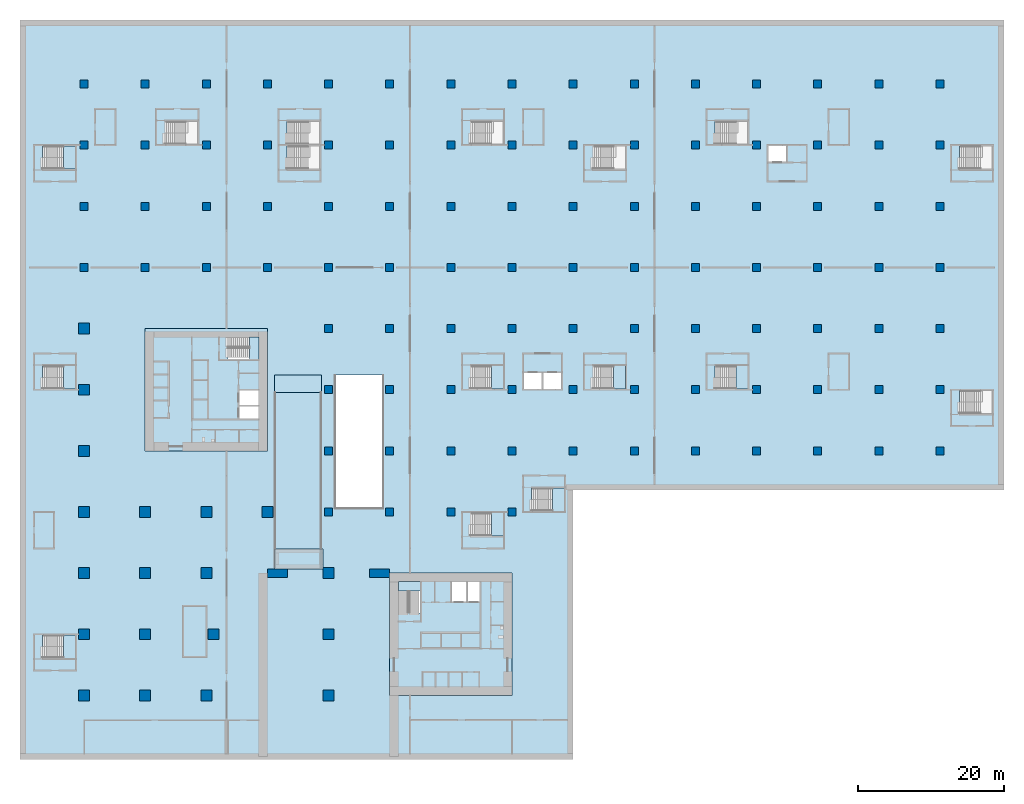
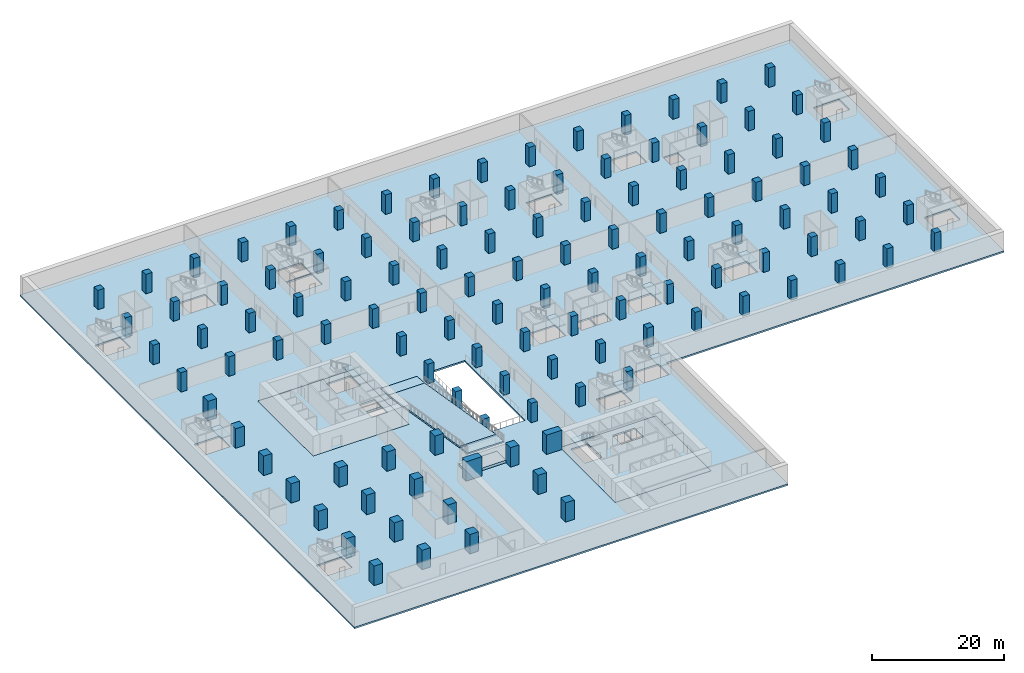
# One storey, part 1 of 18: 118 columns, 17 slabs, 10 elements without a shape of their own.
"""IFC4 building model written with IfcOpenShell, lengths in metres."""

from ifc_helpers import new_model, si_unit, direction, frame, origin, origin_2d, place, context, subcontext, project, spatial, polyline, rectangle, outline, extrude, material, layer, layer_set, material_profile, profile_set, type_object, element, aggregate, save


model = new_model("IFC4")

# Units and contexts
model_context = context("Model", 3, precision=1e-05, world=origin(), true_north=direction((0.0, 1.0)))
body_context = subcontext(model_context, "Body", "Model", "MODEL_VIEW")
ifc_project = project(units=[si_unit("LENGTHUNIT", "METRE"), si_unit("AREAUNIT", "SQUARE_METRE"), si_unit("VOLUMEUNIT", "CUBIC_METRE"), si_unit("PLANEANGLEUNIT", "RADIAN"), si_unit("MASSUNIT", "GRAM", prefix="KILO")], contexts=[model_context])

# Site, building, storey
site_placement = place(None, origin())
site = spatial("IfcSite", under=ifc_project, at=site_placement, CompositionType="ELEMENT")
building_placement = place(site_placement, origin())
building = spatial("IfcBuilding", under=site, at=building_placement, Name="Vermilion Gate Residences", CompositionType="ELEMENT")
storey_placement = place(building_placement, frame((0.0, 0.0, -4.0)))
storey = spatial("IfcBuildingStorey", under=building, at=storey_placement, Name="B1", CompositionType="ELEMENT", Elevation=-4.0)

# Columns
ifc_material_1 = material(Name="Concrete C60", Category="concrete")
ifc_material_profile_1 = material_profile(ifc_material_1, rectangle(XDim=1.10009765625, YDim=1.10009765625, at=origin_2d()), Name="RC-1100x1100")
ifc_profile_set_1 = profile_set([ifc_material_profile_1], Name="Concrete C60")
column_type_1 = type_object("IfcColumnType", Name="RC COLUMN 1100 X 1100 C60", PredefinedType="COLUMN", material=ifc_profile_set_1)
for number, where, z_axis, x_axis, name in (
    (1, (33.60009765625, 33.60009765625, 0.0), (0.0, 0.0, 1.0), (1.0, 0.0, 0.0), "Column 5-E B1"),
    (2, (33.60009765625, 42.0, 0.0), (0.0, 0.0, 1.0), (1.0, 0.0, 0.0), "Column 5-F B1"),
    (3, (33.60009765625, 50.39990234375, 0.0), (0.0, 0.0, 1.0), (1.0, 0.0, 0.0), "Column 5-G B1"),
    (4, (33.60009765625, 58.800048828125, 0.0), (0.0, 0.0, 1.0), (1.0, 0.0, 0.0), "Column 5-H B1"),
    (5, (42.0, 33.60009765625, 0.0), (0.0, 0.0, 1.0), (1.0, 0.0, 0.0), "Column 6-E B1"),
    (6, (42.0, 42.0, 0.0), (0.0, 0.0, 1.0), (1.0, 0.0, 0.0), "Column 6-F B1"),
    (7, (42.0, 50.39990234375, 0.0), (0.0, 0.0, 1.0), (1.0, 0.0, 0.0), "Column 6-G B1"),
    (8, (42.0, 58.800048828125, 0.0), (0.0, 0.0, 1.0), (1.0, 0.0, 0.0), "Column 6-H B1"),
    (9, (50.39990234375, 33.60009765625, 0.0), (0.0, 0.0, 1.0), (1.0, 0.0, 0.0), "Column 7-E B1"),
    (10, (50.39990234375, 42.0, 0.0), (0.0, 0.0, 1.0), (1.0, 0.0, 0.0), "Column 7-F B1"),
    (11, (50.39990234375, 50.39990234375, 0.0), (0.0, 0.0, 1.0), (1.0, 0.0, 0.0), "Column 7-G B1"),
    (12, (50.39990234375, 58.800048828125, 0.0), (0.0, 0.0, 1.0), (1.0, 0.0, 0.0), "Column 7-H B1"),
    (13, (58.800048828125, 33.60009765625, 0.0), (0.0, 0.0, 1.0), (1.0, 0.0, 0.0), "Column 8-E B1"),
    (14, (58.800048828125, 42.0, 0.0), (0.0, 0.0, 1.0), (1.0, 0.0, 0.0), "Column 8-F B1"),
    (15, (58.800048828125, 50.39990234375, 0.0), (0.0, 0.0, 1.0), (1.0, 0.0, 0.0), "Column 8-G B1"),
    (16, (58.800048828125, 58.800048828125, 0.0), (0.0, 0.0, 1.0), (1.0, 0.0, 0.0), "Column 8-H B1"),
    (17, (67.199951171875, 42.0, 0.0), (0.0, 0.0, 1.0), (1.0, 0.0, 0.0), "Column 9-F B1"),
    (18, (67.199951171875, 50.39990234375, 0.0), (0.0, 0.0, 1.0), (1.0, 0.0, 0.0), "Column 9-G B1"),
    (19, (67.199951171875, 58.800048828125, 0.0), (0.0, 0.0, 1.0), (1.0, 0.0, 0.0), "Column 9-H B1"),
    (20, (0.0, 67.199951171875, 0.0), (0.0, 0.0, 1.0), (1.0, 0.0, 0.0), "Column 1-J B1"),
    (21, (0.0, 75.60009765625, 0.0), (0.0, 0.0, 1.0), (1.0, 0.0, 0.0), "Column 1-K B1"),
    (22, (0.0, 84.0, 0.0), (0.0, 0.0, 1.0), (1.0, 0.0, 0.0), "Column 1-L B1"),
    (23, (0.0, 92.39990234375, 0.0), (0.0, 0.0, 1.0), (1.0, 0.0, 0.0), "Column 1-M B1"),
    (24, (8.39990234375, 67.199951171875, 0.0), (0.0, 0.0, 1.0), (1.0, 0.0, 0.0), "Column 2-J B1"),
    (25, (8.39990234375, 75.60009765625, 0.0), (0.0, 0.0, 1.0), (1.0, 0.0, 0.0), "Column 2-K B1"),
    (26, (8.39990234375, 84.0, 0.0), (0.0, 0.0, 1.0), (1.0, 0.0, 0.0), "Column 2-L B1"),
    (27, (8.39990234375, 92.39990234375, 0.0), (0.0, 0.0, 1.0), (1.0, 0.0, 0.0), "Column 2-M B1"),
    (28, (16.800048828125, 67.199951171875, 0.0), (0.0, 0.0, 1.0), (1.0, 0.0, 0.0), "Column 3-J B1"),
    (29, (16.800048828125, 75.60009765625, 0.0), (0.0, 0.0, 1.0), (1.0, 0.0, 0.0), "Column 3-K B1"),
    (30, (16.800048828125, 84.0, 0.0), (0.0, 0.0, 1.0), (1.0, 0.0, 0.0), "Column 3-L B1"),
    (31, (16.800048828125, 92.39990234375, 0.0), (0.0, 0.0, 1.0), (1.0, 0.0, 0.0), "Column 3-M B1"),
    (32, (25.199951171875, 67.199951171875, 0.0), (0.0, 0.0, 1.0), (1.0, 0.0, 0.0), "Column 4-J B1"),
    (33, (25.199951171875, 75.60009765625, 0.0), (0.0, 0.0, 1.0), (1.0, 0.0, 0.0), "Column 4-K B1"),
    (34, (25.199951171875, 84.0, 0.0), (0.0, 0.0, 1.0), (1.0, 0.0, 0.0), "Column 4-L B1"),
    (35, (25.199951171875, 92.39990234375, 0.0), (0.0, 0.0, 1.0), (1.0, 0.0, 0.0), "Column 4-M B1"),
    (36, (33.60009765625, 67.199951171875, 0.0), (0.0, 0.0, 1.0), (1.0, 0.0, 0.0), "Column 5-J B1"),
    (37, (33.60009765625, 75.60009765625, 0.0), (0.0, 0.0, 1.0), (1.0, 0.0, 0.0), "Column 5-K B1"),
    (38, (33.60009765625, 84.0, 0.0), (0.0, 0.0, 1.0), (1.0, 0.0, 0.0), "Column 5-L B1"),
    (39, (33.60009765625, 92.39990234375, 0.0), (0.0, 0.0, 1.0), (1.0, 0.0, 0.0), "Column 5-M B1"),
    (40, (42.0, 67.199951171875, 0.0), (0.0, 0.0, 1.0), (1.0, 0.0, 0.0), "Column 6-J B1"),
    (41, (42.0, 75.60009765625, 0.0), (0.0, 0.0, 1.0), (1.0, 0.0, 0.0), "Column 6-K B1"),
    (42, (42.0, 84.0, 0.0), (0.0, 0.0, 1.0), (1.0, 0.0, 0.0), "Column 6-L B1"),
    (43, (42.0, 92.39990234375, 0.0), (0.0, 0.0, 1.0), (1.0, 0.0, 0.0), "Column 6-M B1"),
    (44, (50.39990234375, 67.199951171875, 0.0), (0.0, 0.0, 1.0), (1.0, 0.0, 0.0), "Column 7-J B1"),
    (45, (50.39990234375, 75.60009765625, 0.0), (0.0, 0.0, 1.0), (1.0, 0.0, 0.0), "Column 7-K B1"),
    (46, (50.39990234375, 84.0, 0.0), (0.0, 0.0, 1.0), (1.0, 0.0, 0.0), "Column 7-L B1"),
    (47, (50.39990234375, 92.39990234375, 0.0), (0.0, 0.0, 1.0), (1.0, 0.0, 0.0), "Column 7-M B1"),
    (48, (58.800048828125, 67.199951171875, 0.0), (0.0, 0.0, 1.0), (1.0, 0.0, 0.0), "Column 8-J B1"),
    (49, (58.800048828125, 75.60009765625, 0.0), (0.0, 0.0, 1.0), (1.0, 0.0, 0.0), "Column 8-K B1"),
    (50, (58.800048828125, 84.0, 0.0), (0.0, 0.0, 1.0), (1.0, 0.0, 0.0), "Column 8-L B1"),
    (51, (58.800048828125, 92.39990234375, 0.0), (0.0, 0.0, 1.0), (1.0, 0.0, 0.0), "Column 8-M B1"),
    (52, (67.199951171875, 67.199951171875, 0.0), (0.0, 0.0, 1.0), (1.0, 0.0, 0.0), "Column 9-J B1"),
    (53, (67.199951171875, 75.60009765625, 0.0), (0.0, 0.0, 1.0), (1.0, 0.0, 0.0), "Column 9-K B1"),
    (54, (67.199951171875, 84.0, 0.0), (0.0, 0.0, 1.0), (1.0, 0.0, 0.0), "Column 9-L B1"),
    (55, (67.199951171875, 92.39990234375, 0.0), (0.0, 0.0, 1.0), (1.0, 0.0, 0.0), "Column 9-M B1"),
    (56, (75.60009765625, 42.0, 0.0), (0.0, 0.0, 1.0), (1.0, 0.0, 0.0), "Column 10-F B1"),
    (57, (75.60009765625, 50.39990234375, 0.0), (0.0, 0.0, 1.0), (1.0, 0.0, 0.0), "Column 10-G B1"),
    (58, (75.60009765625, 58.800048828125, 0.0), (0.0, 0.0, 1.0), (1.0, 0.0, 0.0), "Column 10-H B1"),
    (59, (75.60009765625, 67.199951171875, 0.0), (0.0, 0.0, 1.0), (1.0, 0.0, 0.0), "Column 10-J B1"),
    (60, (75.60009765625, 75.60009765625, 0.0), (0.0, 0.0, 1.0), (1.0, 0.0, 0.0), "Column 10-K B1"),
    (61, (75.60009765625, 84.0, 0.0), (0.0, 0.0, 1.0), (1.0, 0.0, 0.0), "Column 10-L B1"),
    (62, (75.60009765625, 92.39990234375, 0.0), (0.0, 0.0, 1.0), (1.0, 0.0, 0.0), "Column 10-M B1"),
    (63, (84.0, 42.0, 0.0), (0.0, 0.0, 1.0), (1.0, 0.0, 0.0), "Column 11-F B1"),
    (64, (84.0, 50.39990234375, 0.0), (0.0, 0.0, 1.0), (1.0, 0.0, 0.0), "Column 11-G B1"),
    (65, (84.0, 58.800048828125, 0.0), (0.0, 0.0, 1.0), (1.0, 0.0, 0.0), "Column 11-H B1"),
    (66, (84.0, 67.199951171875, 0.0), (0.0, 0.0, 1.0), (1.0, 0.0, 0.0), "Column 11-J B1"),
    (67, (84.0, 75.60009765625, 0.0), (0.0, 0.0, 1.0), (1.0, 0.0, 0.0), "Column 11-K B1"),
    (68, (84.0, 84.0, 0.0), (0.0, 0.0, 1.0), (1.0, 0.0, 0.0), "Column 11-L B1"),
    (69, (84.0, 92.39990234375, 0.0), (0.0, 0.0, 1.0), (1.0, 0.0, 0.0), "Column 11-M B1"),
    (70, (92.39990234375, 42.0, 0.0), (0.0, 0.0, 1.0), (1.0, 0.0, 0.0), "Column 12-F B1"),
    (71, (92.39990234375, 50.39990234375, 0.0), (0.0, 0.0, 1.0), (1.0, 0.0, 0.0), "Column 12-G B1"),
    (72, (92.39990234375, 58.800048828125, 0.0), (0.0, 0.0, 1.0), (1.0, 0.0, 0.0), "Column 12-H B1"),
    (73, (92.39990234375, 67.199951171875, 0.0), (0.0, 0.0, 1.0), (1.0, 0.0, 0.0), "Column 12-J B1"),
    (74, (92.39990234375, 75.60009765625, 0.0), (0.0, 0.0, 1.0), (1.0, 0.0, 0.0), "Column 12-K B1"),
    (75, (92.39990234375, 84.0, 0.0), (0.0, 0.0, 1.0), (1.0, 0.0, 0.0), "Column 12-L B1"),
    (76, (92.39990234375, 92.39990234375, 0.0), (0.0, 0.0, 1.0), (1.0, 0.0, 0.0), "Column 12-M B1"),
    (77, (100.800048828125, 42.0, 0.0), (0.0, 0.0, 1.0), (1.0, 0.0, 0.0), "Column 13-F B1"),
    (78, (100.800048828125, 50.39990234375, 0.0), (0.0, 0.0, 1.0), (1.0, 0.0, 0.0), "Column 13-G B1"),
    (79, (100.800048828125, 58.800048828125, 0.0), (0.0, 0.0, 1.0), (1.0, 0.0, 0.0), "Column 13-H B1"),
    (80, (100.800048828125, 67.199951171875, 0.0), (0.0, 0.0, 1.0), (1.0, 0.0, 0.0), "Column 13-J B1"),
    (81, (100.800048828125, 75.60009765625, 0.0), (0.0, 0.0, 1.0), (1.0, 0.0, 0.0), "Column 13-K B1"),
    (82, (100.800048828125, 84.0, 0.0), (0.0, 0.0, 1.0), (1.0, 0.0, 0.0), "Column 13-L B1"),
    (83, (100.800048828125, 92.39990234375, 0.0), (0.0, 0.0, 1.0), (1.0, 0.0, 0.0), "Column 13-M B1"),
    (84, (109.199951171875, 42.0, 0.0), (0.0, 0.0, 1.0), (1.0, 0.0, 0.0), "Column 14-F B1"),
    (85, (109.199951171875, 50.39990234375, 0.0), (0.0, 0.0, 1.0), (1.0, 0.0, 0.0), "Column 14-G B1"),
    (86, (109.199951171875, 58.800048828125, 0.0), (0.0, 0.0, 1.0), (1.0, 0.0, 0.0), "Column 14-H B1"),
    (87, (109.199951171875, 67.199951171875, 0.0), (0.0, 0.0, 1.0), (1.0, 0.0, 0.0), "Column 14-J B1"),
    (88, (109.199951171875, 75.60009765625, 0.0), (0.0, 0.0, 1.0), (1.0, 0.0, 0.0), "Column 14-K B1"),
    (89, (109.199951171875, 84.0, 0.0), (0.0, 0.0, 1.0), (1.0, 0.0, 0.0), "Column 14-L B1"),
    (90, (109.199951171875, 92.39990234375, 0.0), (0.0, 0.0, 1.0), (1.0, 0.0, 0.0), "Column 14-M B1"),
    (91, (117.60009765625, 42.0, 0.0), (0.0, 0.0, 1.0), (1.0, 0.0, 0.0), "Column 15-F B1"),
    (92, (117.60009765625, 50.39990234375, 0.0), (0.0, 0.0, 1.0), (1.0, 0.0, 0.0), "Column 15-G B1"),
    (93, (117.60009765625, 58.800048828125, 0.0), (0.0, 0.0, 1.0), (1.0, 0.0, 0.0), "Column 15-H B1"),
    (94, (117.60009765625, 67.199951171875, 0.0), (0.0, 0.0, 1.0), (1.0, 0.0, 0.0), "Column 15-J B1"),
    (95, (117.60009765625, 75.60009765625, 0.0), (0.0, 0.0, 1.0), (1.0, 0.0, 0.0), "Column 15-K B1"),
    (96, (117.60009765625, 84.0, 0.0), (0.0, 0.0, 1.0), (1.0, 0.0, 0.0), "Column 15-L B1"),
    (97, (117.60009765625, 92.39990234375, 0.0), (0.0, 0.0, 1.0), (1.0, 0.0, 0.0), "Column 15-M B1"),
):
    element("IfcColumn", number, at=place(storey_placement, frame(where, z_axis=z_axis, x_axis=x_axis)), inside=storey, type_object=column_type_1, Name=name, PredefinedType="COLUMN", context=body_context, shape_type="SweptSolid", body=[
        extrude(rectangle(XDim=1.10009765625, YDim=1.10009765625, at=origin_2d()), origin(), (0.0, 0.0, 1.0), 3.60009765625),
    ])
ifc_material_2 = material(Name="Concrete C80", Category="concrete")
ifc_material_profile_2 = material_profile(ifc_material_2, rectangle(XDim=1.5, YDim=1.5, at=origin_2d()), Name="RC-1500x1500")
ifc_profile_set_2 = profile_set([ifc_material_profile_2], Name="Concrete C80")
column_type_2 = type_object("IfcColumnType", Name="RC COLUMN 1500 X 1500 C80", PredefinedType="COLUMN", material=ifc_profile_set_2)
for number, where, z_axis, x_axis, name in (
    (98, (0.0, 8.39990234375, 0.0), (0.0, 0.0, 1.0), (1.0, 0.0, 0.0), "Column 1-B B1"),
    (99, (0.0, 16.800048828125, 0.0), (0.0, 0.0, 1.0), (1.0, 0.0, 0.0), "Column 1-C B1"),
    (100, (0.0, 25.199951171875, 0.0), (0.0, 0.0, 1.0), (1.0, 0.0, 0.0), "Column 1-D B1"),
    (101, (0.0, 33.60009765625, 0.0), (0.0, 0.0, 1.0), (1.0, 0.0, 0.0), "Column 1-E B1"),
    (102, (0.0, 42.0, 0.0), (0.0, 0.0, 1.0), (1.0, 0.0, 0.0), "Column 1-F B1"),
    (103, (0.0, 50.39990234375, 0.0), (0.0, 0.0, 1.0), (1.0, 0.0, 0.0), "Column 1-G B1"),
    (104, (0.0, 58.800048828125, 0.0), (0.0, 0.0, 1.0), (1.0, 0.0, 0.0), "Column 1-H B1"),
    (105, (8.39990234375, 8.39990234375, 0.0), (0.0, 0.0, 1.0), (1.0, 0.0, 0.0), "Column 2-B B1"),
    (106, (8.39990234375, 16.800048828125, 0.0), (0.0, 0.0, 1.0), (1.0, 0.0, 0.0), "Column 2-C B1"),
    (107, (8.39990234375, 25.199951171875, 0.0), (0.0, 0.0, 1.0), (1.0, 0.0, 0.0), "Column 2-D B1"),
    (108, (8.39990234375, 33.60009765625, 0.0), (0.0, 0.0, 1.0), (1.0, 0.0, 0.0), "Column 2-E B1"),
    (109, (16.800048828125, 8.39990234375, 0.0), (0.0, 0.0, 1.0), (1.0, 0.0, 0.0), "Column 3-B B1"),
    (110, (17.800048828125, 16.800048828125, 0.0), (0.0, 0.0, 1.0), (1.0, 0.0, 0.0), "Column 3-C B1"),
    (111, (16.800048828125, 25.199951171875, 0.0), (0.0, 0.0, 1.0), (1.0, 0.0, 0.0), "Column 3-D B1"),
    (112, (16.800048828125, 33.60009765625, 0.0), (0.0, 0.0, 1.0), (1.0, 0.0, 0.0), "Column 3-E B1"),
    (113, (25.199951171875, 33.60009765625, 0.0), (0.0, 0.0, 1.0), (1.0, 0.0, 0.0), "Column 4-E B1"),
    (114, (33.60009765625, 8.39990234375, 0.0), (0.0, 0.0, 1.0), (1.0, 0.0, 0.0), "Column 5-B B1"),
    (115, (33.60009765625, 16.800048828125, 0.0), (0.0, 0.0, 1.0), (1.0, 0.0, 0.0), "Column 5-C B1"),
    (116, (33.60009765625, 25.199951171875, 0.0), (0.0, 0.0, 1.0), (1.0, 0.0, 0.0), "Column 5-D B1"),
):
    element("IfcColumn", number, at=place(storey_placement, frame(where, z_axis=z_axis, x_axis=x_axis)), inside=storey, type_object=column_type_2, Name=name, PredefinedType="COLUMN", context=body_context, shape_type="SweptSolid", body=[
        extrude(rectangle(XDim=1.5, YDim=1.5, at=origin_2d()), origin(), (0.0, 0.0, 1.0), 3.60009765625),
    ])
ifc_material_3 = material(Name="Concrete C80", Category="concrete")
ifc_material_profile_3 = material_profile(ifc_material_3, rectangle(XDim=2.75, YDim=1.199951171875, at=origin_2d()), Name="RC-2750x1200")
ifc_profile_set_3 = profile_set([ifc_material_profile_3], Name="Concrete C80")
column_type_3 = type_object("IfcColumnType", Name="RC COLUMN 2750 X 1200 C80", PredefinedType="COLUMN", material=ifc_profile_set_3)
for number, where, z_axis, x_axis, name in (
    (117, (26.574951171875, 25.199951171875, 0.0), (0.0, 0.0, 1.0), (1.0, 0.0, 0.0), "Portal leg column W B1"),
    (118, (40.625, 25.199951171875, 0.0), (0.0, 0.0, 1.0), (1.0, 0.0, 0.0), "Portal leg column E B1"),
):
    element("IfcColumn", number, at=place(storey_placement, frame(where, z_axis=z_axis, x_axis=x_axis)), inside=storey, type_object=column_type_3, Name=name, PredefinedType="COLUMN", context=body_context, shape_type="SweptSolid", body=[
        extrude(rectangle(XDim=2.75, YDim=1.199951171875, at=origin_2d()), origin(), (0.0, 0.0, 1.0), 3.60009765625),
    ])

# Slabs
ifc_material_4 = material(Name="Concrete C40", Category="concrete")
ifc_layer_1 = layer(ifc_material_4, 0.5)
ifc_layer_set_1 = layer_set([ifc_layer_1], Name="RAMP ABUTMENT PAD 500 (AMENITY)")
slab_type_1 = type_object("IfcSlabType", Name="RAMP ABUTMENT PAD 500 (AMENITY)", PredefinedType="FLOOR", material=ifc_layer_set_1)
slab_1_placement = place(storey_placement, origin())
element("IfcSlab", 119, at=slab_1_placement, inside=storey, type_object=slab_type_1, Name="Ramp 1 abutment pad", PredefinedType="FLOOR", context=body_context, shape_type="SweptSolid", body=[
    extrude(outline(polyline([(26.199951171875, 25.800048828125), (32.85009765625, 25.800048828125), (32.85009765625, 28.550048828125), (26.199951171875, 28.550048828125), (26.199951171875, 25.800048828125)])), origin(), (0.0, 0.0, 1.0), 0.5),
])
ifc_material_5 = material(Name="Concrete C50", Category="concrete")
ifc_layer_2 = layer(ifc_material_5, 0.300048828125)
ifc_layer_set_2 = layer_set([ifc_layer_2], Name="RC CORE FLOOR SLAB 300 C50")
slab_type_2 = type_object("IfcSlabType", Name="RC CORE FLOOR SLAB 300 C50", PredefinedType="FLOOR", material=ifc_layer_set_2)
slab_2_placement = place(storey_placement, frame((0.0, 0.0, -0.300048828125)))
element("IfcSlab", 120, at=slab_2_placement, inside=storey, type_object=slab_type_2, Name="Core floor slab AB1", PredefinedType="FLOOR", context=body_context, shape_type="SweptSolid", body=[
    extrude(outline(polyline([(42.0, 8.39990234375), (58.800048828125, 8.39990234375), (58.800048828125, 25.199951171875), (42.0, 25.199951171875), (42.0, 8.39990234375)]), holes=[polyline([(46.199951171875, 19.75), (43.199951171875, 19.75), (43.199951171875, 24.0), (46.199951171875, 24.0), (46.199951171875, 19.75)]), polyline([(50.5, 21.300048828125), (50.5, 24.0), (52.5, 24.0), (52.5, 21.300048828125), (50.5, 21.300048828125)]), polyline([(52.699951171875, 21.300048828125), (52.699951171875, 24.0), (54.39990234375, 24.0), (54.39990234375, 21.300048828125), (52.699951171875, 21.300048828125)])]), origin(), (0.0, 0.0, 1.0), 0.300048828125),
])
slab_3_placement = place(storey_placement, frame((0.0, 0.0, -0.300048828125)))
element("IfcSlab", 121, at=slab_3_placement, inside=storey, type_object=slab_type_2, Name="Core floor slab BB1", PredefinedType="FLOOR", context=body_context, shape_type="SweptSolid", body=[
    extrude(outline(polyline([(8.39990234375, 42.0), (25.199951171875, 42.0), (25.199951171875, 58.800048828125), (8.39990234375, 58.800048828125), (8.39990234375, 42.0)]), holes=[polyline([(24.0, 46.39990234375), (21.300048828125, 46.39990234375), (21.300048828125, 48.10009765625), (24.0, 48.10009765625), (24.0, 46.39990234375)]), polyline([(21.300048828125, 48.300048828125), (21.300048828125, 50.300048828125), (24.0, 50.300048828125), (24.0, 48.300048828125), (21.300048828125, 48.300048828125)]), polyline([(19.75, 54.60009765625), (19.75, 57.60009765625), (24.0, 57.60009765625), (24.0, 54.60009765625), (19.75, 54.60009765625)])]), origin(), (0.0, 0.0, 1.0), 0.300048828125),
])
ifc_material_6 = material(Name="Concrete C50", Category="concrete")
ifc_layer_3 = layer(ifc_material_6, 0.300048828125)
ifc_layer_set_3 = layer_set([ifc_layer_3], Name="RC FLAT PLATE 300 C50")
slab_type_3 = type_object("IfcSlabType", Name="RC FLAT PLATE 300 C50", PredefinedType="FLOOR", material=ifc_layer_set_3)
slab_4_placement = place(storey_placement, frame((0.0, 0.0, -0.300048828125)))
element("IfcSlab", 122, at=slab_4_placement, inside=storey, type_object=slab_type_3, Name="Basement slab B1", PredefinedType="FLOOR", context=body_context, shape_type="SweptSolid", body=[
    extrude(outline(polyline([(126.39990234375, 36.60009765625), (126.39990234375, 101.199951171875), (-8.800048828125, 101.199951171875), (-8.800048828125, -0.39990234375), (67.199951171875, -0.39990234375), (67.199951171875, 36.60009765625), (126.39990234375, 36.60009765625)]), holes=[polyline([(120.300048828125, 80.699951171875), (120.300048828125, 83.89990234375), (124.800048828125, 83.89990234375), (124.800048828125, 80.699951171875), (120.300048828125, 80.699951171875)]), polyline([(120.300048828125, 47.10009765625), (120.300048828125, 50.300048828125), (124.800048828125, 50.300048828125), (124.800048828125, 47.10009765625), (120.300048828125, 47.10009765625)]), polyline([(96.5, 83.89990234375), (96.5, 81.699951171875), (94.0, 81.699951171875), (94.0, 83.89990234375), (96.5, 83.89990234375)]), polyline([(86.699951171875, 87.300048828125), (91.199951171875, 87.300048828125), (91.199951171875, 84.10009765625), (86.699951171875, 84.10009765625), (86.699951171875, 87.300048828125)]), polyline([(86.699951171875, 53.699951171875), (91.199951171875, 53.699951171875), (91.199951171875, 50.5), (86.699951171875, 50.5), (86.699951171875, 53.699951171875)]), polyline([(74.39990234375, 83.89990234375), (74.39990234375, 80.699951171875), (69.89990234375, 80.699951171875), (69.89990234375, 83.89990234375), (74.39990234375, 83.89990234375)]), polyline([(74.39990234375, 53.699951171875), (74.39990234375, 50.5), (69.89990234375, 50.5), (69.89990234375, 53.699951171875), (74.39990234375, 53.699951171875)]), polyline([(66.0, 33.699951171875), (61.5, 33.699951171875), (61.5, 36.89990234375), (66.0, 36.89990234375), (66.0, 33.699951171875)]), polyline([(63.10009765625, 52.699951171875), (65.60009765625, 52.699951171875), (65.60009765625, 50.5), (63.10009765625, 50.5), (63.10009765625, 52.699951171875)]), polyline([(60.39990234375, 50.5), (60.39990234375, 52.699951171875), (62.89990234375, 52.699951171875), (62.89990234375, 50.5), (60.39990234375, 50.5)]), polyline([(58.800048828125, 8.39990234375), (42.0, 8.39990234375), (42.0, 25.199951171875), (58.800048828125, 25.199951171875), (58.800048828125, 8.39990234375)]), polyline([(57.60009765625, 84.10009765625), (53.10009765625, 84.10009765625), (53.10009765625, 87.300048828125), (57.60009765625, 87.300048828125), (57.60009765625, 84.10009765625)]), polyline([(57.60009765625, 53.699951171875), (57.60009765625, 50.5), (53.10009765625, 50.5), (53.10009765625, 53.699951171875), (57.60009765625, 53.699951171875)]), polyline([(57.60009765625, 30.300048828125), (53.10009765625, 30.300048828125), (53.10009765625, 33.5), (57.60009765625, 33.5), (57.60009765625, 30.300048828125)]), polyline([(41.0, 34.10009765625), (34.60009765625, 34.10009765625), (34.60009765625, 52.39990234375), (41.0, 52.39990234375), (41.0, 34.10009765625)]), polyline([(27.89990234375, 84.10009765625), (27.89990234375, 87.300048828125), (32.39990234375, 87.300048828125), (32.39990234375, 84.10009765625), (27.89990234375, 84.10009765625)]), polyline([(27.89990234375, 83.89990234375), (32.39990234375, 83.89990234375), (32.39990234375, 80.699951171875), (27.89990234375, 80.699951171875), (27.89990234375, 83.89990234375)]), polyline([(25.199951171875, 42.0), (8.39990234375, 42.0), (8.39990234375, 58.800048828125), (25.199951171875, 58.800048828125), (25.199951171875, 42.0)]), polyline([(15.60009765625, 84.10009765625), (11.10009765625, 84.10009765625), (11.10009765625, 87.300048828125), (15.60009765625, 87.300048828125), (15.60009765625, 84.10009765625)]), polyline([(-5.699951171875, 13.5), (-5.699951171875, 16.699951171875), (-1.199951171875, 16.699951171875), (-1.199951171875, 13.5), (-5.699951171875, 13.5)]), polyline([(-1.199951171875, 83.89990234375), (-1.199951171875, 80.699951171875), (-5.699951171875, 80.699951171875), (-5.699951171875, 83.89990234375), (-1.199951171875, 83.89990234375)]), polyline([(-5.699951171875, 53.699951171875), (-1.199951171875, 53.699951171875), (-1.199951171875, 50.5), (-5.699951171875, 50.5), (-5.699951171875, 53.699951171875)])]), origin(), (0.0, 0.0, 1.0), 0.300048828125),
])

# Stair, slab
ifc_material_7 = material(Name="Concrete C30", Category="concrete")
stair_type_1 = type_object("IfcStairType", Name="ESCAPE STAIR 1200 (AMENITY)", PredefinedType="HALF_TURN_STAIR", material=ifc_material_7)
stair_1_placement = place(storey_placement, origin())
stair_1 = element("IfcStair", 123, at=stair_1_placement, inside=storey, type_object=stair_type_1, Name="Garage escape stair 1 B1 to L00", PredefinedType="HALF_TURN_STAIR")
ifc_material_8 = material(Name="Concrete C35", Category="concrete")
ifc_layer_4 = layer(ifc_material_8, 0.199951171875)
ifc_layer_set_4 = layer_set([ifc_layer_4], Name="STAIR LANDING 200 (AMENITY)")
slab_type_4 = type_object("IfcSlabType", Name="STAIR LANDING 200 (AMENITY)", PredefinedType="LANDING", material=ifc_layer_set_4)
slab_5_placement = place(storey_placement, frame((0.0, 0.0, 1.886962890625)))
slab_5 = element("IfcSlab", 124, at=slab_5_placement, type_object=slab_type_4, Name="STG1 landing 1", PredefinedType="LANDING", context=body_context, shape_type="SweptSolid", body=[
    extrude(outline(polyline([(-2.840087890625, 13.5), (-1.199951171875, 13.5), (-1.199951171875, 16.699951171875), (-2.840087890625, 16.699951171875), (-2.840087890625, 13.5)])), origin(), (0.0, 0.0, 1.0), 0.199951171875),
])
aggregate(stair_1, [slab_5])

stair_2_placement = place(storey_placement, origin())
stair_2 = element("IfcStair", 125, at=stair_2_placement, inside=storey, type_object=stair_type_1, Name="Garage escape stair 2 B1 to L00", PredefinedType="HALF_TURN_STAIR")
slab_6_placement = place(storey_placement, frame((0.0, 0.0, 1.886962890625)))
slab_6 = element("IfcSlab", 126, at=slab_6_placement, type_object=slab_type_4, Name="STG2 landing 1", PredefinedType="LANDING", context=body_context, shape_type="SweptSolid", body=[
    extrude(outline(polyline([(-2.840087890625, 50.5), (-1.199951171875, 50.5), (-1.199951171875, 53.699951171875), (-2.840087890625, 53.699951171875), (-2.840087890625, 50.5)])), origin(), (0.0, 0.0, 1.0), 0.199951171875),
])
aggregate(stair_2, [slab_6])

stair_3_placement = place(storey_placement, origin())
stair_3 = element("IfcStair", 127, at=stair_3_placement, inside=storey, type_object=stair_type_1, Name="Garage escape stair 3 B1 to L00", PredefinedType="HALF_TURN_STAIR")
slab_7_placement = place(storey_placement, frame((0.0, 0.0, 1.886962890625)))
slab_7 = element("IfcSlab", 128, at=slab_7_placement, type_object=slab_type_4, Name="STG3 landing 1", PredefinedType="LANDING", context=body_context, shape_type="SweptSolid", body=[
    extrude(outline(polyline([(72.760009765625, 50.5), (74.39990234375, 50.5), (74.39990234375, 53.699951171875), (72.760009765625, 53.699951171875), (72.760009765625, 50.5)])), origin(), (0.0, 0.0, 1.0), 0.199951171875),
])
aggregate(stair_3, [slab_7])

stair_4_placement = place(storey_placement, origin())
stair_4 = element("IfcStair", 129, at=stair_4_placement, inside=storey, type_object=stair_type_1, Name="Garage escape stair 4 B1 to L00", PredefinedType="HALF_TURN_STAIR")
slab_8_placement = place(storey_placement, frame((0.0, 0.0, 1.886962890625)))
slab_8 = element("IfcSlab", 130, at=slab_8_placement, type_object=slab_type_4, Name="STG4 landing 1", PredefinedType="LANDING", context=body_context, shape_type="SweptSolid", body=[
    extrude(outline(polyline([(55.9599609375, 30.300048828125), (57.60009765625, 30.300048828125), (57.60009765625, 33.5), (55.9599609375, 33.5), (55.9599609375, 30.300048828125)])), origin(), (0.0, 0.0, 1.0), 0.199951171875),
])
aggregate(stair_4, [slab_8])

stair_5_placement = place(storey_placement, origin())
stair_5 = element("IfcStair", 131, at=stair_5_placement, inside=storey, type_object=stair_type_1, Name="Garage escape stair 6 B1 to L00", PredefinedType="HALF_TURN_STAIR")
slab_9_placement = place(storey_placement, frame((0.0, 0.0, 1.886962890625)))
slab_9 = element("IfcSlab", 132, at=slab_9_placement, type_object=slab_type_4, Name="STG6 landing 1", PredefinedType="LANDING", context=body_context, shape_type="SweptSolid", body=[
    extrude(outline(polyline([(89.56005859375, 50.5), (91.199951171875, 50.5), (91.199951171875, 53.699951171875), (89.56005859375, 53.699951171875), (89.56005859375, 50.5)])), origin(), (0.0, 0.0, 1.0), 0.199951171875),
])
aggregate(stair_5, [slab_9])

stair_6_placement = place(storey_placement, origin())
stair_6 = element("IfcStair", 133, at=stair_6_placement, inside=storey, type_object=stair_type_1, Name="Garage escape stair 7 B1 to L00", PredefinedType="HALF_TURN_STAIR")
slab_10_placement = place(storey_placement, frame((0.0, 0.0, 1.886962890625)))
slab_10 = element("IfcSlab", 134, at=slab_10_placement, type_object=slab_type_4, Name="STG7 landing 1", PredefinedType="LANDING", context=body_context, shape_type="SweptSolid", body=[
    extrude(outline(polyline([(-2.840087890625, 80.699951171875), (-1.199951171875, 80.699951171875), (-1.199951171875, 83.89990234375), (-2.840087890625, 83.89990234375), (-2.840087890625, 80.699951171875)])), origin(), (0.0, 0.0, 1.0), 0.199951171875),
])
aggregate(stair_6, [slab_10])

stair_7_placement = place(storey_placement, origin())
stair_7 = element("IfcStair", 135, at=stair_7_placement, inside=storey, type_object=stair_type_1, Name="Garage escape stair 15 B1 to L00", PredefinedType="HALF_TURN_STAIR")
slab_11_placement = place(storey_placement, frame((0.0, 0.0, 1.886962890625)))
slab_11 = element("IfcSlab", 136, at=slab_11_placement, type_object=slab_type_4, Name="STG15 landing 1", PredefinedType="LANDING", context=body_context, shape_type="SweptSolid", body=[
    extrude(outline(polyline([(55.9599609375, 50.5), (57.60009765625, 50.5), (57.60009765625, 53.699951171875), (55.9599609375, 53.699951171875), (55.9599609375, 50.5)])), origin(), (0.0, 0.0, 1.0), 0.199951171875),
])
aggregate(stair_7, [slab_11])

stair_8_placement = place(storey_placement, origin())
stair_8 = element("IfcStair", 137, at=stair_8_placement, inside=storey, type_object=stair_type_1, Name="Garage escape stair 16 B1 to L00", PredefinedType="HALF_TURN_STAIR")
slab_12_placement = place(storey_placement, frame((0.0, 0.0, 1.886962890625)))
slab_12 = element("IfcSlab", 138, at=slab_12_placement, type_object=slab_type_4, Name="STG16 landing 1", PredefinedType="LANDING", context=body_context, shape_type="SweptSolid", body=[
    extrude(outline(polyline([(64.360107421875, 33.699951171875), (66.0, 33.699951171875), (66.0, 36.89990234375), (64.360107421875, 36.89990234375), (64.360107421875, 33.699951171875)])), origin(), (0.0, 0.0, 1.0), 0.199951171875),
])
aggregate(stair_8, [slab_12])

ifc_material_9 = material(Name="Concrete C50", Category="concrete")
stair_type_2 = type_object("IfcStairType", Name="SPECIAL ESCAPE STAIR 1300", PredefinedType="HALF_TURN_STAIR", material=ifc_material_9)
stair_9_placement = place(storey_placement, origin())
stair_9 = element("IfcStair", 139, at=stair_9_placement, inside=storey, type_object=stair_type_2, Name="Special escape stair STA1-B1", PredefinedType="HALF_TURN_STAIR")
ifc_material_10 = material(Name="Concrete C50", Category="concrete")
ifc_layer_5 = layer(ifc_material_10, 0.199951171875)
ifc_layer_set_5 = layer_set([ifc_layer_5], Name="STAIR LANDING 200 C50")
slab_type_5 = type_object("IfcSlabType", Name="STAIR LANDING 200 C50", PredefinedType="LANDING", material=ifc_layer_set_5)
slab_13_placement = place(storey_placement, frame((0.0, 0.0, 1.800048828125)))
slab_13 = element("IfcSlab", 140, at=slab_13_placement, type_object=slab_type_5, Name="STA1-B1 landing 1", PredefinedType="LANDING", context=body_context, shape_type="SweptSolid", body=[
    extrude(outline(polyline([(46.219970703125, 22.719970703125), (46.219970703125, 24.02001953125), (43.179931640625, 24.02001953125), (43.179931640625, 22.719970703125), (46.219970703125, 22.719970703125)])), origin(), (0.0, 0.0, 1.0), 0.199951171875),
])
aggregate(stair_9, [slab_13])

stair_10_placement = place(storey_placement, origin())
stair_10 = element("IfcStair", 141, at=stair_10_placement, inside=storey, type_object=stair_type_2, Name="Special escape stair STB1-B1", PredefinedType="HALF_TURN_STAIR")
slab_14_placement = place(storey_placement, frame((0.0, 0.0, 1.800048828125)))
slab_14 = element("IfcSlab", 142, at=slab_14_placement, type_object=slab_type_5, Name="STB1-B1 landing 1", PredefinedType="LANDING", context=body_context, shape_type="SweptSolid", body=[
    extrude(outline(polyline([(24.02001953125, 54.580078125), (24.02001953125, 57.6201171875), (22.719970703125, 57.6201171875), (22.719970703125, 54.580078125), (24.02001953125, 54.580078125)])), origin(), (0.0, 0.0, 1.0), 0.199951171875),
])
aggregate(stair_10, [slab_14])

# Slabs
ifc_material_11 = material(Name="Concrete C40", Category="concrete")
ifc_layer_6 = layer(ifc_material_11, 0.280029296875)
ifc_layer_set_6 = layer_set([ifc_layer_6], Name="VEHICLE RAMP SLAB 280 C40 (AMENITY)")
slab_type_6 = type_object("IfcSlabType", Name="VEHICLE RAMP SLAB 280 C40 (AMENITY)", PredefinedType="USERDEFINED", material=ifc_layer_set_6)
slab_15_placement = place(storey_placement, frame((29.39990234375, 26.0, 4.0), z_axis=(0.0, 0.0, 1.0), x_axis=(0.0, 1.0, 0.0)))
element("IfcSlab", 143, at=slab_15_placement, inside=storey, type_object=slab_type_6, Name="Ramp 1 entry transition", ObjectType="VEHICLE RAMP SLAB", PredefinedType="USERDEFINED", context=body_context, shape_type="SweptSolid", body=[
    extrude(outline(polyline([(0.0, 0.0), (2.39990234375, -0.199951171875), (2.39990234375, -0.48095703125), (0.0, -0.281005859375), (0.0, 0.0)])), frame((0.0, 3.2001953125, 0.0), z_axis=(0.0, -1.0, 0.0), x_axis=(1.0, 0.0, 0.0)), (0.0, 0.0, 1.0), 6.400146484375),
])
slab_16_placement = place(storey_placement, frame((29.39990234375, 28.39990234375, 3.800048828125), z_axis=(0.0, 0.0, 1.0), x_axis=(0.0, 1.0, 0.0)))
element("IfcSlab", 144, at=slab_16_placement, inside=storey, type_object=slab_type_6, Name="Ramp 1 main run", ObjectType="VEHICLE RAMP SLAB", PredefinedType="USERDEFINED", context=body_context, shape_type="SweptSolid", body=[
    extrude(outline(polyline([(0.0, 0.0), (21.60009765625, -3.60009765625), (21.60009765625, -3.884033203125), (0.0, -0.283935546875), (0.0, 0.0)])), frame((0.0, 3.2001953125, 0.0), z_axis=(0.0, -1.0, 0.0), x_axis=(1.0, 0.0, 0.0)), (0.0, 0.0, 1.0), 6.400146484375),
])
slab_17_placement = place(storey_placement, frame((29.39990234375, 50.0, 0.199951171875), z_axis=(0.0, 0.0, 1.0), x_axis=(0.0, 1.0, 0.0)))
element("IfcSlab", 145, at=slab_17_placement, inside=storey, type_object=slab_type_6, Name="Ramp 1 exit transition", ObjectType="VEHICLE RAMP SLAB", PredefinedType="USERDEFINED", context=body_context, shape_type="SweptSolid", body=[
    extrude(outline(polyline([(0.0, 0.0), (2.39990234375, -0.199951171875), (2.39990234375, -0.48095703125), (0.0, -0.281005859375), (0.0, 0.0)])), frame((0.0, 3.2001953125, 0.0), z_axis=(0.0, -1.0, 0.0), x_axis=(1.0, 0.0, 0.0)), (0.0, 0.0, 1.0), 6.400146484375),
])

save(model, "model.ifc")
